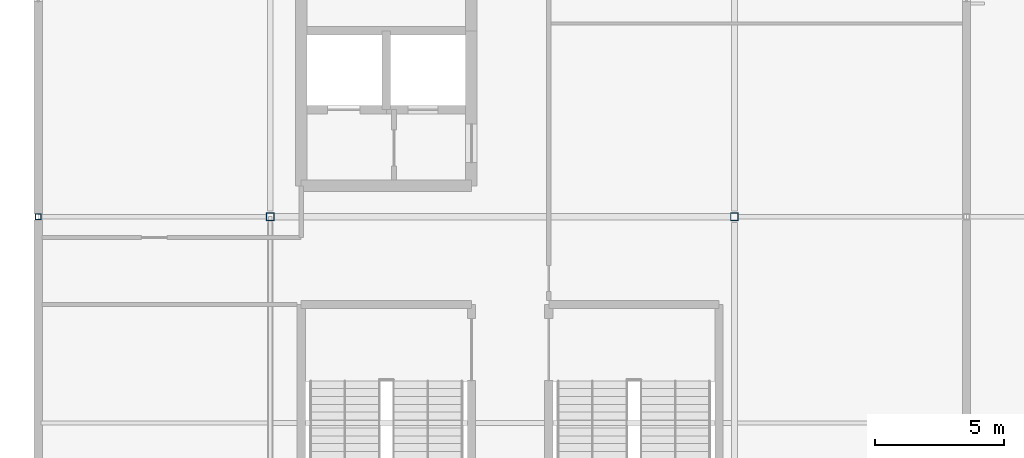
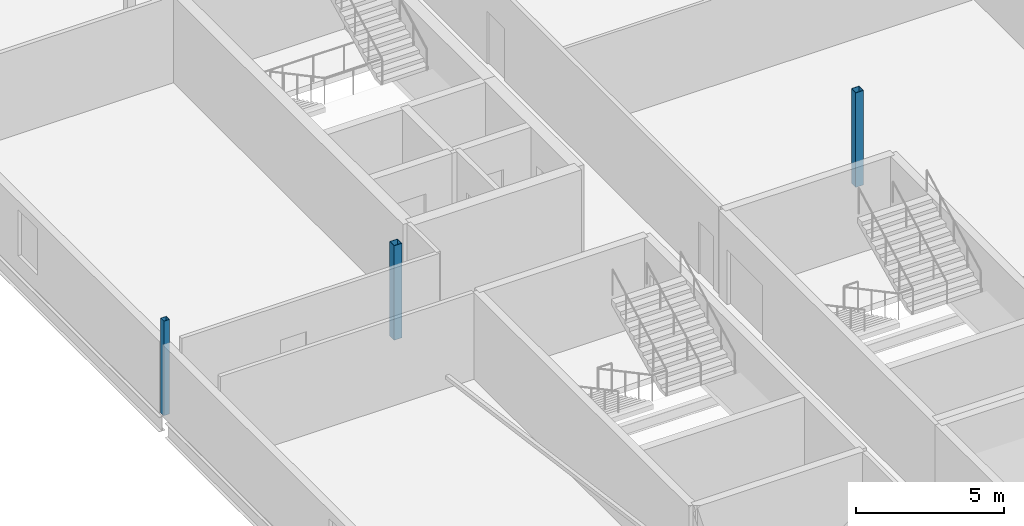
# One storey, part 6 of 55: 3 columns.
"""IFC4 building model written with IfcOpenShell, lengths in metres."""

from ifc_helpers import new_model, si_unit, direction, frame, origin, origin_2d, place, context, subcontext, project, spatial, hollow_rectangle, extrude, material, material_profile, profile_set, type_object, element, save


model = new_model("IFC4")

# Units and contexts
model_context = context("Model", 3, precision=1e-05, world=origin(), true_north=direction((0.0, 1.0)))
body_context = subcontext(model_context, "Body", "Model", "MODEL_VIEW")
ifc_project = project(units=[si_unit("LENGTHUNIT", "METRE"), si_unit("AREAUNIT", "SQUARE_METRE"), si_unit("VOLUMEUNIT", "CUBIC_METRE"), si_unit("PLANEANGLEUNIT", "RADIAN"), si_unit("MASSUNIT", "GRAM", prefix="KILO")], contexts=[model_context])

# Site, building, storey
site_placement = place(None, origin())
site = spatial("IfcSite", under=ifc_project, at=site_placement, CompositionType="ELEMENT")
building_placement = place(site_placement, origin())
building = spatial("IfcBuilding", under=site, at=building_placement, Name="Kisiwana Market Hall", CompositionType="ELEMENT")
storey_placement = place(building_placement, frame((0.0, 0.0, 37.800048828125)))
storey = spatial("IfcBuildingStorey", under=building, at=storey_placement, Name="L08", CompositionType="ELEMENT", Elevation=37.800048828125)

# Columns
ifc_material_1 = material(Name="Steel S355", Category="steel")
ifc_material_profile_1 = material_profile(ifc_material_1, hollow_rectangle(XDim=0.219970703125, YDim=0.219970703125, WallThickness=0.010009765625, at=origin_2d()), Name="SHS 220x220x10")
ifc_profile_set_1 = profile_set([ifc_material_profile_1], Name="Steel S355")
column_type_1 = type_object("IfcColumnType", Name="COL-STL-SHS220", PredefinedType="COLUMN", material=ifc_profile_set_1)
column_placement = place(storey_placement, frame((0.0, 84.0, 0.0), z_axis=(0.0, 0.0, 1.0), x_axis=(1.0, 0.0, 0.0)))
element("IfcColumn", 1, at=column_placement, inside=storey, type_object=column_type_1, Name="Column L/1 (L08) C-1158", PredefinedType="COLUMN", context=body_context, shape_type="SweptSolid", body=[
    extrude(hollow_rectangle(XDim=0.219970703125, YDim=0.219970703125, WallThickness=0.010009765625, at=origin_2d()), origin(), (0.0, 0.0, 1.0), 3.89990234375),
])
ifc_material_2 = material(Name="Steel S355", Category="steel")
ifc_material_profile_2 = material_profile(ifc_material_2, hollow_rectangle(XDim=0.300048828125, YDim=0.300048828125, WallThickness=0.012451171875, at=origin_2d()), Name="SHS 300x300x12.5")
ifc_profile_set_2 = profile_set([ifc_material_profile_2], Name="Steel S355")
column_type_2 = type_object("IfcColumnType", Name="COL-STL-SHS300", PredefinedType="COLUMN", material=ifc_profile_set_2)
for number, where, z_axis, x_axis, name in (
    (2, (9.0, 84.0, 0.0), (0.0, 0.0, 1.0), (1.0, 0.0, 0.0), "Column L/2 (L08) C-1164"),
    (3, (27.0, 84.0, 0.0), (0.0, 0.0, 1.0), (1.0, 0.0, 0.0), "Column L/4 (L08) C-1171"),
):
    element("IfcColumn", number, at=place(storey_placement, frame(where, z_axis=z_axis, x_axis=x_axis)), inside=storey, type_object=column_type_2, Name=name, PredefinedType="COLUMN", context=body_context, shape_type="SweptSolid", body=[
        extrude(hollow_rectangle(XDim=0.300048828125, YDim=0.300048828125, WallThickness=0.012451171875, at=origin_2d()), origin(), (0.0, 0.0, 1.0), 3.89990234375),
    ])

save(model, "model.ifc")
